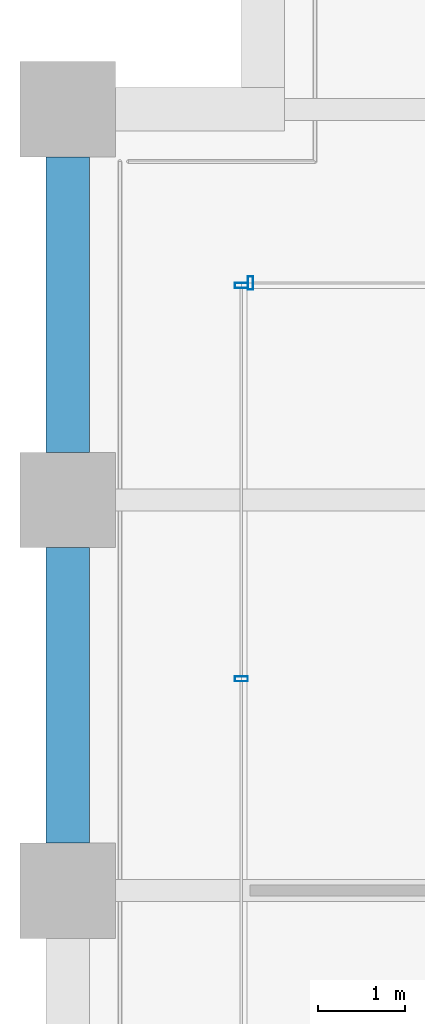
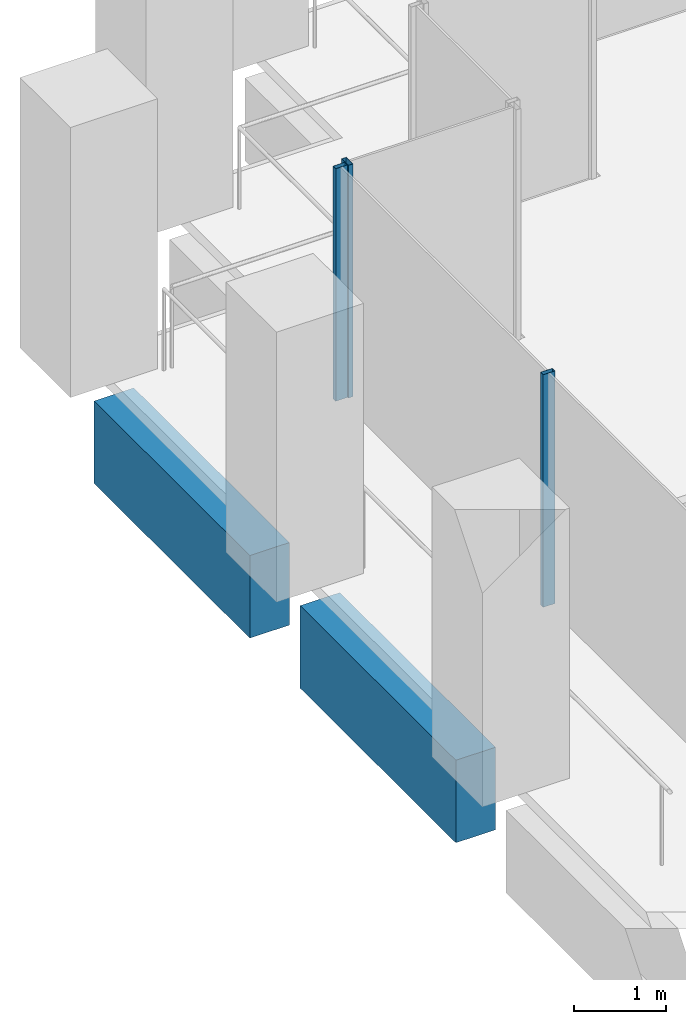
# One storey, part 23 of 56: 3 members, 2 beams, 2 elements without a shape of their own.
"""IFC4 building model written with IfcOpenShell, lengths in metres."""

from ifc_helpers import new_model, si_unit, direction, frame, origin, origin_2d, place, context, subcontext, project, spatial, rectangle, hollow_rectangle, extrude, material, material_profile, profile_set, type_object, element, aggregate, save


model = new_model("IFC4")

# Units and contexts
model_context = context("Model", 3, precision=1e-05, world=origin(), true_north=direction((0.0, 1.0)))
body_context = subcontext(model_context, "Body", "Model", "MODEL_VIEW")
ifc_project = project(units=[si_unit("LENGTHUNIT", "METRE"), si_unit("AREAUNIT", "SQUARE_METRE"), si_unit("VOLUMEUNIT", "CUBIC_METRE"), si_unit("PLANEANGLEUNIT", "RADIAN"), si_unit("MASSUNIT", "GRAM", prefix="KILO")], contexts=[model_context])

# Site, building, storey
site_placement = place(None, origin())
site = spatial("IfcSite", under=ifc_project, at=site_placement, CompositionType="ELEMENT")
building_placement = place(site_placement, origin())
building = spatial("IfcBuilding", under=site, at=building_placement, Name="Altepetl Exchange Towers", CompositionType="ELEMENT")
storey_placement = place(building_placement, frame((0.0, 0.0, 79.800048828125)))
storey = spatial("IfcBuildingStorey", under=building, at=storey_placement, Name="L19", CompositionType="ELEMENT", Elevation=79.800048828125)

# Curtain wall, member
ifc_material_1 = material(Name="Aluminium 6063-T6 glazing", Category="aluminium")
curtain_wall_type = type_object("IfcCurtainWallType", Name="Loggia glazing system", PredefinedType="NOTDEFINED", material=ifc_material_1)
curtain_wall_1_placement = place(storey_placement, origin())
curtain_wall_1 = element("IfcCurtainWall", 1, at=curtain_wall_1_placement, inside=storey, type_object=curtain_wall_type, Name="CW1 run", PredefinedType="NOTDEFINED")
ifc_material_2 = material(Name="Aluminium 6063-T6", Category="aluminium")
ifc_material_profile_1 = material_profile(ifc_material_2, hollow_rectangle(XDim=0.06005859375, YDim=0.14990234375, WallThickness=0.0029296875, at=origin_2d()), Name="Mullion 60x150 aluminium")
ifc_profile_set_1 = profile_set([ifc_material_profile_1], Name="Aluminium 6063-T6")
member_type = type_object("IfcMemberType", Name="Mullion 60x150 aluminium", PredefinedType="MULLION", material=ifc_profile_set_1)
member_1_placement = place(storey_placement, frame((29.10498046875, 65.5, 0.0), z_axis=(0.0, 0.0, 1.0), x_axis=(-1.0, 0.0, 0.0)))
member_1 = element("IfcMember", 2, at=member_1_placement, type_object=member_type, Name="MU1 mullion", PredefinedType="MULLION", context=body_context, shape_type="SweptSolid", body=[
    extrude(hollow_rectangle(XDim=0.06005859375, YDim=0.14990234375, WallThickness=0.0029296875, at=origin_2d()), origin(), (0.0, 0.0, 1.0), 3.099853515625),
])
aggregate(curtain_wall_1, [member_1])

# Curtain wall, members
curtain_wall_2_placement = place(storey_placement, origin())
curtain_wall_2 = element("IfcCurtainWall", 3, at=curtain_wall_2_placement, inside=storey, type_object=curtain_wall_type, Name="CW1 run", PredefinedType="NOTDEFINED")
member_2_placement = place(storey_placement, frame((29.0, 65.469970703125, 0.0), z_axis=(0.0, 0.0, 1.0), x_axis=(0.0, -1.0, 0.0)))
member_2 = element("IfcMember", 4, at=member_2_placement, type_object=member_type, Name="MU1 mullion", PredefinedType="MULLION", context=body_context, shape_type="SweptSolid", body=[
    extrude(hollow_rectangle(XDim=0.06005859375, YDim=0.14990234375, WallThickness=0.0029296875, at=origin_2d()), origin(), (0.0, 0.0, 1.0), 3.099853515625),
])
member_3_placement = place(storey_placement, frame((29.0, 60.939208984375, 0.0), z_axis=(0.0, 0.0, 1.0), x_axis=(0.0, -1.0, 0.0)))
member_3 = element("IfcMember", 5, at=member_3_placement, type_object=member_type, Name="MU1 mullion", PredefinedType="MULLION", context=body_context, shape_type="SweptSolid", body=[
    extrude(hollow_rectangle(XDim=0.06005859375, YDim=0.14990234375, WallThickness=0.0029296875, at=origin_2d()), origin(), (0.0, 0.0, 1.0), 3.099853515625),
])
aggregate(curtain_wall_2, [member_2, member_3])

# Beams
ifc_material_3 = material(Name="Concrete C50/60 precast with tezontle facing", Category="concrete")
ifc_material_profile_2 = material_profile(ifc_material_3, rectangle(XDim=0.5, YDim=1.10009765625, at=origin_2d()), Name="500 x 1100")
ifc_profile_set_2 = profile_set([ifc_material_profile_2], Name="Concrete C50/60 precast with tezontle facing")
beam_type = type_object("IfcBeamType", Name="Spandrel beam 500x1100 tezontle", PredefinedType="SPANDREL", material=ifc_profile_set_2)
for number, where, z_axis, x_axis, name in (
    (6, (27.0, 66.949951171875, -0.699951171875), (0.0, -1.0, 0.0), (1.0, 0.0, 0.0), "sp:A:L19:036"),
    (7, (27.0, 62.449951171875, -0.699951171875), (0.0, -1.0, 0.0), (1.0, 0.0, 0.0), "sp:A:L19:037"),
):
    element("IfcBeam", number, at=place(storey_placement, frame(where, z_axis=z_axis, x_axis=x_axis)), inside=storey, type_object=beam_type, Name=name, PredefinedType="SPANDREL", context=body_context, shape_type="SweptSolid", body=[
        extrude(rectangle(XDim=0.5, YDim=1.10009765625, at=origin_2d()), origin(), (0.0, 0.0, 1.0), 3.39990234375),
    ])

save(model, "model.ifc")
